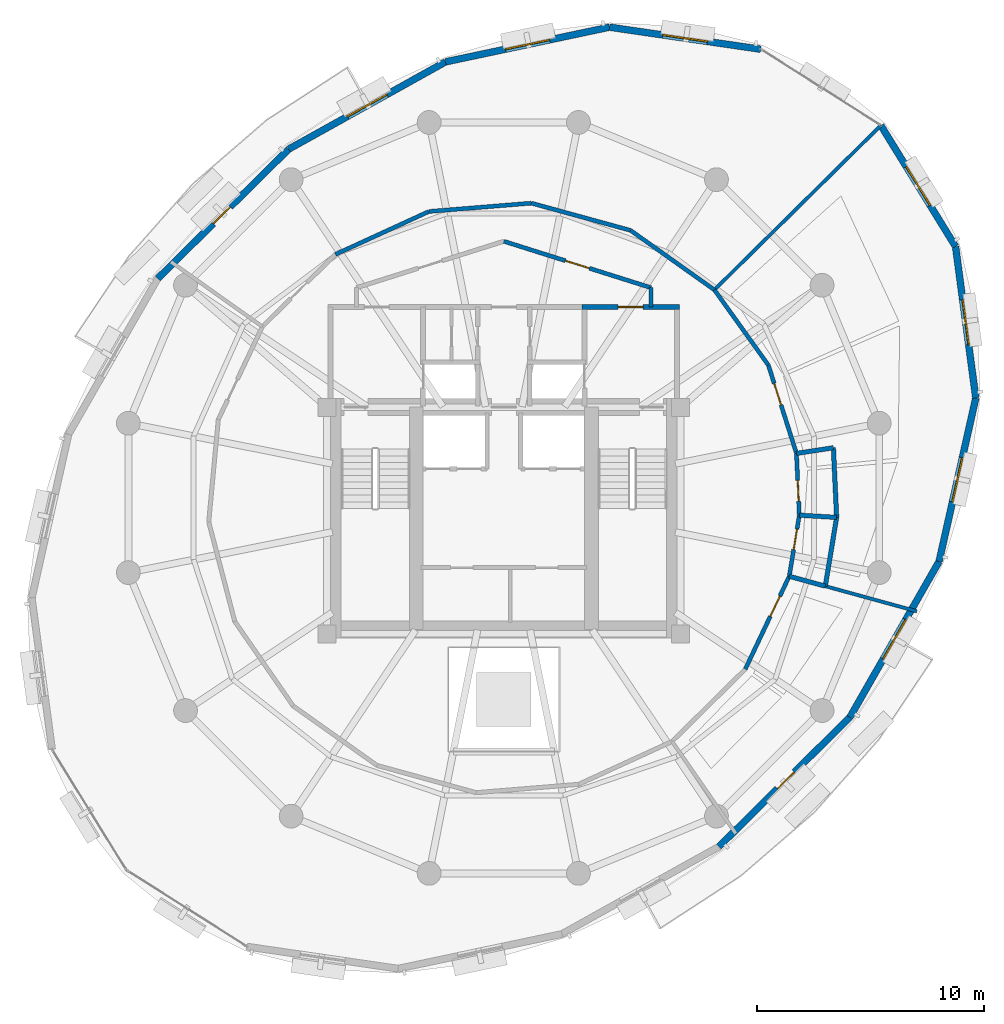
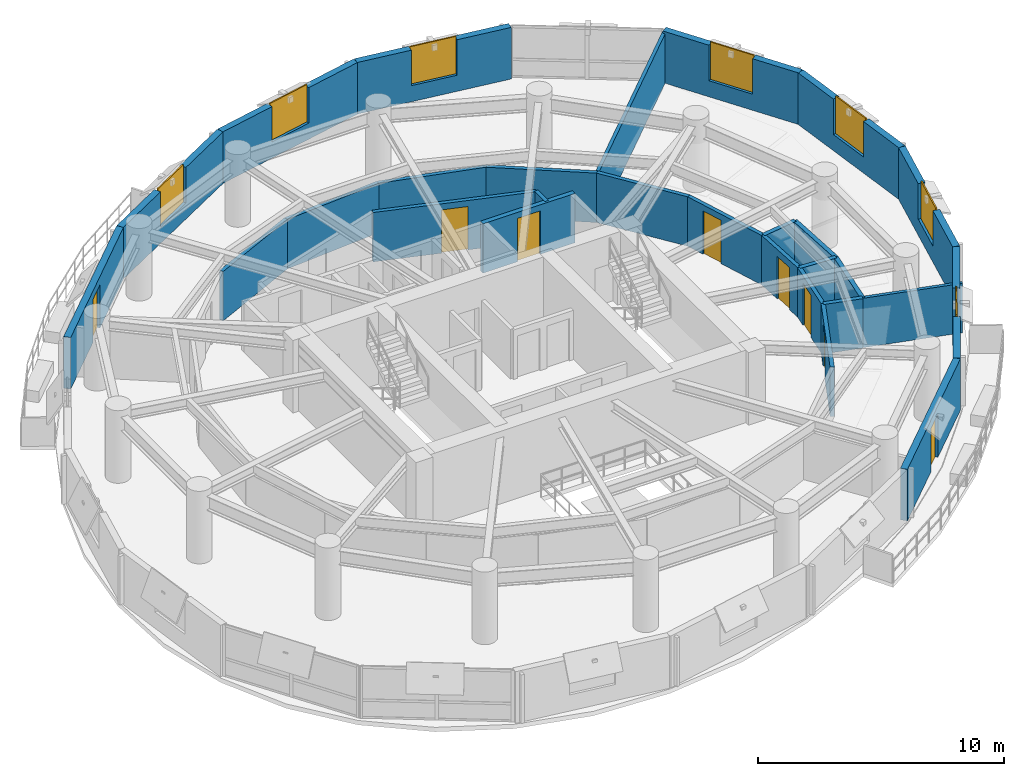
# One storey, part 9 of 12: 28 walls, 8 doors, 7 windows, 15 openings.
"""IFC4 building model written with IfcOpenShell, lengths in metres."""

from ifc_helpers import new_model, si_unit, direction, frame, frame_2d, origin, place, context, subcontext, project, spatial, rectangle, extrude, material, layer, layer_set, type_object, element, fill, save


model = new_model("IFC4")

# Units and contexts
model_context = context("Model", 3, precision=1e-05, world=origin(), true_north=direction((0.0, 1.0)))
body_context = subcontext(model_context, "Body", "Model", "MODEL_VIEW")
ifc_project = project(units=[si_unit("LENGTHUNIT", "METRE"), si_unit("AREAUNIT", "SQUARE_METRE"), si_unit("VOLUMEUNIT", "CUBIC_METRE"), si_unit("PLANEANGLEUNIT", "RADIAN"), si_unit("MASSUNIT", "GRAM", prefix="KILO"), si_unit("THERMODYNAMICTEMPERATUREUNIT", "KELVIN"), si_unit("POWERUNIT", "WATT")], contexts=[model_context])

# Site, building, storey
site_placement = place(None, origin())
site = spatial("IfcSite", under=ifc_project, at=site_placement, CompositionType="ELEMENT")
building_placement = place(site_placement, origin())
building = spatial("IfcBuilding", under=site, at=building_placement, Name="Ocrelia Relay Tower", CompositionType="ELEMENT")
storey_placement = place(building_placement, frame((0.0, 0.0, 216.800048828125)))
storey = spatial("IfcBuildingStorey", under=building, at=storey_placement, Name="L53", CompositionType="ELEMENT", Elevation=216.800048828125)

# Wall
ifc_material_1 = material(Name="Gypsum Fireboard Partition EI60", Category="gypsum")
ifc_layer_1 = layer(ifc_material_1, 0.179931640625, Name="Gypsum Fireboard Partition EI60")
ifc_layer_set_1 = layer_set([ifc_layer_1], Name="Gypsum Fireboard Partition EI60")
wall_type_1 = type_object("IfcWallType", Name="W-CORR-EI60-180", PredefinedType="PARTITIONING", material=ifc_layer_set_1)
wall_1_placement = place(storey_placement, frame((40.5, 35.280029296875, 0.0), z_axis=(0.0, 0.0, 1.0), x_axis=(0.0, -1.0, 0.0)))
element("IfcWall", 1, at=wall_1_placement, inside=storey, type_object=wall_type_1, Name="L53 Smoke Lobby East Return", PredefinedType="PARTITIONING", context=body_context, shape_type="SweptSolid", body=[
    extrude(rectangle(XDim=0.85009765625, YDim=0.179931640625, at=frame_2d((0.425048828125, 0.0))), origin(), (0.0, 0.0, 1.0), 2.449951171875),
])

# Wall, opening, door
wall_2_placement = place(storey_placement, frame((34.0, 37.330078125, 0.0), z_axis=(0.0, 0.0, 1.0), x_axis=(0.953691418528, -0.300786765376, 0.0)))
wall_2 = element("IfcWall", 2, at=wall_2_placement, inside=storey, type_object=wall_type_1, Name="L53 North Smoke Lobby E Screen Wall", PredefinedType="PARTITIONING", context=body_context, shape_type="SweptSolid", body=[
    extrude(rectangle(XDim=6.815673828125, YDim=0.179931640625, at=frame_2d((3.40771484375, 0.0))), origin(), (0.0, 0.0, 1.0), 2.449951171875),
])
opening_1_placement = place(wall_2_placement, frame((2.85791015625, 0.0, 0.0)))
opening_1 = element("IfcOpeningElement", 3, at=opening_1_placement, cuts=wall_2, Name="Opening D-FD60", PredefinedType="OPENING", context=body_context, shape_type="SweptSolid", body=[
    extrude(rectangle(XDim=1.10009765625, YDim=2.14990234375, at=frame_2d((0.550048828125, 1.074951171875))), frame((0.0, 0.10009765625, 0.0), z_axis=(0.0, -1.0, 0.0), x_axis=(1.0, 0.0, 0.0)), (0.0, 0.0, 1.0), 0.199951171875),
])
ifc_material_2 = material(Name="Timber-core 60-min acoustic fire door", Category="wood")
door_type_1 = type_object("IfcDoorType", Name="DR-LOBBY-FD60-1100", OperationType="NOTDEFINED", PredefinedType="DOOR", material=ifc_material_2)
door_1_placement = place(opening_1_placement, origin())
door_1 = element("IfcDoor", 4, at=door_1_placement, inside=storey, type_object=door_type_1, Name="L53 North Smoke Lobby E Fire Door", OperationType="SINGLE_SWING_LEFT", OverallHeight=2.14990234375, OverallWidth=1.10009765625, PredefinedType="DOOR", context=body_context, shape_type="SweptSolid", body=[
    extrude(rectangle(XDim=1.10009765625, YDim=2.14990234375, at=frame_2d((0.550048828125, 1.074951171875))), frame((0.0, 0.02490234375, 0.0), z_axis=(0.0, -1.0, 0.0), x_axis=(1.0, 0.0, 0.0)), (0.0, 0.0, 1.0), 0.050048828125),
])
fill(opening_1, door_1)

wall_3_placement = place(storey_placement, frame((46.603759765625, 22.540283203125, 0.0), z_axis=(0.0, 0.0, 1.0), x_axis=(0.162442572065, 0.986717999623, 0.0)))
wall_3 = element("IfcWall", 5, at=wall_3_placement, inside=storey, type_object=wall_type_1, Name="L53 Staff Toilet Corridor Wall", PredefinedType="PARTITIONING", context=body_context, shape_type="SweptSolid", body=[
    extrude(rectangle(XDim=2.732421875, YDim=0.179931640625, at=frame_2d((1.3662109375, 0.0))), origin(), (0.0, 0.0, 1.0), 2.449951171875),
])
opening_2_placement = place(wall_3_placement, frame((1.19677734375, 0.0, 0.0)))
opening_2 = element("IfcOpeningElement", 6, at=opening_2_placement, cuts=wall_3, Name="Opening D-WC92", PredefinedType="OPENING", context=body_context, shape_type="SweptSolid", body=[
    extrude(rectangle(XDim=0.919921875, YDim=2.10009765625, at=frame_2d((0.4599609375, 1.050048828125))), frame((0.0, 0.10009765625, 0.0), z_axis=(0.0, -1.0, 0.0), x_axis=(1.0, 0.0, 0.0)), (0.0, 0.0, 1.0), 0.199951171875),
])
ifc_material_3 = material(Name="Laminate washroom door", Category="wood")
door_type_2 = type_object("IfcDoorType", Name="DR-WC-920", OperationType="NOTDEFINED", PredefinedType="DOOR", material=ifc_material_3)
door_2_placement = place(opening_2_placement, origin())
door_2 = element("IfcDoor", 7, at=door_2_placement, inside=storey, type_object=door_type_2, Name="L53 Staff Toilet Door", OperationType="SINGLE_SWING_RIGHT", OverallHeight=2.10009765625, OverallWidth=0.919921875, PredefinedType="DOOR", context=body_context, shape_type="SweptSolid", body=[
    extrude(rectangle(XDim=0.919921875, YDim=2.10009765625, at=frame_2d((0.4599609375, 1.050048828125))), frame((0.0, 0.02490234375, 0.0), z_axis=(0.0, -1.0, 0.0), x_axis=(1.0, 0.0, 0.0)), (0.0, 0.0, 1.0), 0.050048828125),
])
fill(opening_2, door_2)

wall_4_placement = place(storey_placement, frame((47.047607421875, 25.236328125, 0.0), z_axis=(0.0, 0.0, 1.0), x_axis=(-0.046193926453, 0.998932490791, 0.0)))
wall_4 = element("IfcWall", 8, at=wall_4_placement, inside=storey, type_object=wall_type_1, Name="L53 Accessible Toilet Corridor Wall", PredefinedType="PARTITIONING", context=body_context, shape_type="SweptSolid", body=[
    extrude(rectangle(XDim=2.732421875, YDim=0.179931640625, at=frame_2d((1.3662109375, 0.0))), origin(), (0.0, 0.0, 1.0), 2.449951171875),
])
opening_3_placement = place(wall_4_placement, frame((0.61572265625, 0.0, 0.0)))
opening_3 = element("IfcOpeningElement", 9, at=opening_3_placement, cuts=wall_4, Name="Opening D-WC92", PredefinedType="OPENING", context=body_context, shape_type="SweptSolid", body=[
    extrude(rectangle(XDim=0.919921875, YDim=2.10009765625, at=frame_2d((0.4599609375, 1.050048828125))), frame((0.0, 0.10009765625, 0.0), z_axis=(0.0, -1.0, 0.0), x_axis=(1.0, 0.0, 0.0)), (0.0, 0.0, 1.0), 0.199951171875),
])
door_3_placement = place(opening_3_placement, origin())
door_3 = element("IfcDoor", 10, at=door_3_placement, inside=storey, type_object=door_type_2, Name="L53 Accessible Toilet Door", OperationType="SINGLE_SWING_LEFT", OverallHeight=2.10009765625, OverallWidth=0.919921875, PredefinedType="DOOR", context=body_context, shape_type="SweptSolid", body=[
    extrude(rectangle(XDim=0.919921875, YDim=2.10009765625, at=frame_2d((0.4599609375, 1.050048828125))), frame((0.0, 0.02490234375, 0.0), z_axis=(0.0, -1.0, 0.0), x_axis=(1.0, 0.0, 0.0)), (0.0, 0.0, 1.0), 0.050048828125),
])
fill(opening_3, door_3)

wall_5_placement = place(storey_placement, frame((46.92138671875, 27.9658203125, 0.0), z_axis=(0.0, 0.0, 1.0), x_axis=(-0.30324801656, 0.952911664559, 0.0)))
wall_5 = element("IfcWall", 11, at=wall_5_placement, inside=storey, type_object=wall_type_1, Name="L53 Staff Hospitality Study Corridor Partition 1", PredefinedType="PARTITIONING", context=body_context, shape_type="SweptSolid", body=[
    extrude(rectangle(XDim=4.089111328125, YDim=0.179931640625, at=frame_2d((2.04443359375, 0.0))), origin(), (0.0, 0.0, 1.0), 2.449951171875),
])
opening_4_placement = place(wall_5_placement, frame((2.241943359375, 0.0, 0.0)))
opening_4 = element("IfcOpeningElement", 12, at=opening_4_placement, cuts=wall_5, Name="Opening D-RM100", PredefinedType="OPENING", context=body_context, shape_type="SweptSolid", body=[
    extrude(rectangle(XDim=1.0, YDim=2.14990234375, at=frame_2d((0.5, 1.074951171875))), frame((0.0, 0.10009765625, 0.0), z_axis=(0.0, -1.0, 0.0), x_axis=(1.0, 0.0, 0.0)), (0.0, 0.0, 1.0), 0.199951171875),
])
ifc_material_4 = material(Name="Acoustic oak veneer fire door", Category="wood")
door_type_3 = type_object("IfcDoorType", Name="DR-ROOM-FD60-1000", OperationType="NOTDEFINED", PredefinedType="DOOR", material=ifc_material_4)
door_4_placement = place(opening_4_placement, origin())
door_4 = element("IfcDoor", 13, at=door_4_placement, inside=storey, type_object=door_type_3, Name="L53 Staff Hospitality Study Entrance Door", OperationType="SINGLE_SWING_RIGHT", OverallHeight=2.14990234375, OverallWidth=1.0, PredefinedType="DOOR", context=body_context, shape_type="SweptSolid", body=[
    extrude(rectangle(XDim=1.0, YDim=2.14990234375, at=frame_2d((0.5, 1.074951171875))), frame((0.0, 0.02490234375, 0.0), z_axis=(0.0, -1.0, 0.0), x_axis=(1.0, 0.0, 0.0)), (0.0, 0.0, 1.0), 0.050048828125),
])
fill(opening_4, door_4)

# Walls
wall_6_placement = place(storey_placement, frame((45.681396484375, 31.8623046875, 0.0), z_axis=(0.0, 0.0, 1.0), x_axis=(-0.58281275777, 0.812606478796, 0.0)))
element("IfcWall", 14, at=wall_6_placement, inside=storey, type_object=wall_type_1, Name="L53 Staff Hospitality Study Corridor Partition 2", PredefinedType="PARTITIONING", context=body_context, shape_type="SweptSolid", body=[
    extrude(rectangle(XDim=4.08935546875, YDim=0.179931640625, at=frame_2d((2.044677734375, 0.0))), origin(), (0.0, 0.0, 1.0), 2.449951171875),
])
wall_7_placement = place(storey_placement, frame((43.298095703125, 35.185302734375, 0.0), z_axis=(0.0, 0.0, 1.0), x_axis=(-0.815622593255, 0.578584294094, 0.0)))
element("IfcWall", 15, at=wall_7_placement, inside=storey, type_object=wall_type_1, Name="L53 Staff Dining Canteen Corridor Partition 1", PredefinedType="PARTITIONING", context=body_context, shape_type="SweptSolid", body=[
    extrude(rectangle(XDim=4.5390625, YDim=0.179931640625, at=frame_2d((2.26953125, 0.0))), origin(), (0.0, 0.0, 1.0), 2.449951171875),
])
wall_8_placement = place(storey_placement, frame((39.595947265625, 37.8115234375, 0.0), z_axis=(0.0, 0.0, 1.0), x_axis=(-0.96432560951, 0.264718943113, 0.0)))
element("IfcWall", 16, at=wall_8_placement, inside=storey, type_object=wall_type_1, Name="L53 Staff Dining Canteen Corridor Partition 2", PredefinedType="PARTITIONING", context=body_context, shape_type="SweptSolid", body=[
    extrude(rectangle(XDim=4.539306640625, YDim=0.179931640625, at=frame_2d((2.26953125, 0.0))), origin(), (0.0, 0.0, 1.0), 2.449951171875),
])
for number, where, z_axis, x_axis, name in (
    (17, (35.218505859375, 39.01318359375, 0.0), (0.0, 0.0, 1.0), (-0.996705234629, -0.081109033178, 0.0), "L53 Staff Dining Canteen Corridor Partition 3"),
    (18, (30.6943359375, 38.64501953125, 0.0), (0.0, 0.0, 1.0), (-0.908879683918, -0.417058413368, 0.0), "L53 Staff Dining Canteen Corridor Partition 4"),
):
    element("IfcWall", number, at=place(storey_placement, frame(where, z_axis=z_axis, x_axis=x_axis)), inside=storey, type_object=wall_type_1, Name=name, PredefinedType="PARTITIONING", context=body_context, shape_type="SweptSolid", body=[
        extrude(rectangle(XDim=4.5390625, YDim=0.179931640625, at=frame_2d((2.26953125, 0.0))), origin(), (0.0, 0.0, 1.0), 2.449951171875),
    ])

# Wall, opening, door
wall_9_placement = place(storey_placement, frame((44.660400390625, 18.43798828125, 0.0), z_axis=(0.0, 0.0, 1.0), x_axis=(0.428116399969, 0.903723601594, 0.0)))
wall_9 = element("IfcWall", 19, at=wall_9_placement, inside=storey, type_object=wall_type_1, Name="L53 Staff Wellness Room Corridor Partition 2", PredefinedType="PARTITIONING", context=body_context, shape_type="SweptSolid", body=[
    extrude(rectangle(XDim=4.539306640625, YDim=0.179931640625, at=frame_2d((2.26953125, 0.0))), origin(), (0.0, 0.0, 1.0), 2.449951171875),
])
opening_5_placement = place(wall_9_placement, frame((2.579345703125, 0.0, 0.0)))
opening_5 = element("IfcOpeningElement", 20, at=opening_5_placement, cuts=wall_9, Name="Opening D-RM100", PredefinedType="OPENING", context=body_context, shape_type="SweptSolid", body=[
    extrude(rectangle(XDim=1.0, YDim=2.14990234375, at=frame_2d((0.5, 1.074951171875))), frame((0.0, 0.10009765625, 0.0), z_axis=(0.0, -1.0, 0.0), x_axis=(1.0, 0.0, 0.0)), (0.0, 0.0, 1.0), 0.199951171875),
])
door_5_placement = place(opening_5_placement, origin())
door_5 = element("IfcDoor", 21, at=door_5_placement, inside=storey, type_object=door_type_3, Name="L53 Staff Wellness Room Entrance Door", OperationType="SINGLE_SWING_LEFT", OverallHeight=2.14990234375, OverallWidth=1.0, PredefinedType="DOOR", context=body_context, shape_type="SweptSolid", body=[
    extrude(rectangle(XDim=1.0, YDim=2.14990234375, at=frame_2d((0.5, 1.074951171875))), frame((0.0, 0.02490234375, 0.0), z_axis=(0.0, -1.0, 0.0), x_axis=(1.0, 0.0, 0.0)), (0.0, 0.0, 1.0), 0.050048828125),
])
fill(opening_5, door_5)

# Wall, opening, window
ifc_material_5 = material(Name="Precast concrete C40/50 with oxide terracotta", Category="masonry")
ifc_layer_2 = layer(ifc_material_5, 0.300048828125, Name="Precast concrete C40/50 with oxide terracotta")
ifc_layer_set_2 = layer_set([ifc_layer_2], Name="Precast concrete C40/50 with oxide terracotta")
wall_type_2 = type_object("IfcWallType", Name="W-EXT-TERR-300", PredefinedType="SOLIDWALL", material=ifc_layer_set_2)
wall_10_placement = place(storey_placement, frame((45.340576171875, 45.80859375, 0.0), z_axis=(0.0, 0.0, 1.0), x_axis=(-0.989511218711, 0.144456041915, 0.0)))
wall_10 = element("IfcWall", 22, at=wall_10_placement, inside=storey, type_object=wall_type_2, Name="L53 Oxide Terracotta Facade Wall 02", PredefinedType="SOLIDWALL", context=body_context, shape_type="SweptSolid", body=[
    extrude(rectangle(XDim=6.7451171875, YDim=0.300048828125, at=frame_2d((3.37255859375, 0.0))), origin(), (0.0, 0.0, 1.0), 2.56005859375),
])
opening_6_placement = place(wall_10_placement, frame((2.373046875, 0.0, 0.800048828125)))
opening_6 = element("IfcOpeningElement", 23, at=opening_6_placement, cuts=wall_10, Name="Opening W-03", PredefinedType="OPENING", context=body_context, shape_type="SweptSolid", body=[
    extrude(rectangle(XDim=2.0, YDim=1.85009765625, at=frame_2d((1.0, 0.925048828125))), frame((0.0, 0.16015625, 0.0), z_axis=(0.0, -1.0, 0.0), x_axis=(1.0, 0.0, 0.0)), (0.0, 0.0, 1.0), 0.320068359375),
])
ifc_material_6 = material(Name="Clear double-glazed low-E glass", Category="glass")
window_type = type_object("IfcWindowType", Name="WIN-Z3-2000x2200", PartitioningType="DOUBLE_PANEL_VERTICAL", PredefinedType="WINDOW", material=ifc_material_6)
window_1_placement = place(opening_6_placement, origin())
window_1 = element("IfcWindow", 24, at=window_1_placement, inside=storey, type_object=window_type, Name="L53 Facade Module Window 02", OverallHeight=1.85009765625, OverallWidth=2.0, PartitioningType="SINGLE_PANEL", PredefinedType="WINDOW", context=body_context, shape_type="SweptSolid", body=[
    extrude(rectangle(XDim=2.0, YDim=1.85009765625, at=frame_2d((1.0, 0.925048828125))), frame((0.0, 0.030029296875, 0.0), z_axis=(0.0, -1.0, 0.0), x_axis=(1.0, 0.0, 0.0)), (0.0, 0.0, 1.0), 0.06005859375),
])
fill(opening_6, window_1)

wall_11_placement = place(storey_placement, frame((38.666259765625, 46.782958984375, 0.0), z_axis=(0.0, 0.0, 1.0), x_axis=(-0.978313834697, -0.207128078351, 0.0)))
wall_11 = element("IfcWall", 25, at=wall_11_placement, inside=storey, type_object=wall_type_2, Name="L53 Oxide Terracotta Facade Wall 03", PredefinedType="SOLIDWALL", context=body_context, shape_type="SweptSolid", body=[
    extrude(rectangle(XDim=7.3974609375, YDim=0.300048828125, at=frame_2d((3.69873046875, 0.0))), origin(), (0.0, 0.0, 1.0), 2.56005859375),
])
opening_7_placement = place(wall_11_placement, frame((2.698974609375, 0.0, 0.800048828125)))
opening_7 = element("IfcOpeningElement", 26, at=opening_7_placement, cuts=wall_11, Name="Opening W-03", PredefinedType="OPENING", context=body_context, shape_type="SweptSolid", body=[
    extrude(rectangle(XDim=2.0, YDim=1.85009765625, at=frame_2d((1.0, 0.925048828125))), frame((0.0, 0.16015625, 0.0), z_axis=(0.0, -1.0, 0.0), x_axis=(1.0, 0.0, 0.0)), (0.0, 0.0, 1.0), 0.320068359375),
])
window_2_placement = place(opening_7_placement, origin())
window_2 = element("IfcWindow", 27, at=window_2_placement, inside=storey, type_object=window_type, Name="L53 Facade Module Window 03", OverallHeight=1.85009765625, OverallWidth=2.0, PartitioningType="SINGLE_PANEL", PredefinedType="WINDOW", context=body_context, shape_type="SweptSolid", body=[
    extrude(rectangle(XDim=2.0, YDim=1.85009765625, at=frame_2d((1.0, 0.925048828125))), frame((0.0, 0.030029296875, 0.0), z_axis=(0.0, -1.0, 0.0), x_axis=(1.0, 0.0, 0.0)), (0.0, 0.0, 1.0), 0.06005859375),
])
fill(opening_7, window_2)

wall_12_placement = place(storey_placement, frame((31.42919921875, 45.250732421875, 0.0), z_axis=(0.0, 0.0, 1.0), x_axis=(-0.873840390665, -0.486212887161, 0.0)))
wall_12 = element("IfcWall", 28, at=wall_12_placement, inside=storey, type_object=wall_type_2, Name="L53 Oxide Terracotta Facade Wall 04", PredefinedType="SOLIDWALL", context=body_context, shape_type="SweptSolid", body=[
    extrude(rectangle(XDim=7.927001953125, YDim=0.300048828125, at=frame_2d((3.96337890625, 0.0))), origin(), (0.0, 0.0, 1.0), 2.56005859375),
])
opening_8_placement = place(wall_12_placement, frame((2.964111328125, 0.0, 0.800048828125)))
opening_8 = element("IfcOpeningElement", 29, at=opening_8_placement, cuts=wall_12, Name="Opening W-03", PredefinedType="OPENING", context=body_context, shape_type="SweptSolid", body=[
    extrude(rectangle(XDim=2.0, YDim=1.85009765625, at=frame_2d((1.0, 0.925048828125))), frame((0.0, 0.16015625, 0.0), z_axis=(0.0, -1.0, 0.0), x_axis=(1.0, 0.0, 0.0)), (0.0, 0.0, 1.0), 0.320068359375),
])
window_3_placement = place(opening_8_placement, origin())
window_3 = element("IfcWindow", 30, at=window_3_placement, inside=storey, type_object=window_type, Name="L53 Facade Module Window 04", OverallHeight=1.85009765625, OverallWidth=2.0, PartitioningType="SINGLE_PANEL", PredefinedType="WINDOW", context=body_context, shape_type="SweptSolid", body=[
    extrude(rectangle(XDim=2.0, YDim=1.85009765625, at=frame_2d((1.0, 0.925048828125))), frame((0.0, 0.030029296875, 0.0), z_axis=(0.0, -1.0, 0.0), x_axis=(1.0, 0.0, 0.0)), (0.0, 0.0, 1.0), 0.06005859375),
])
fill(opening_8, window_3)

# Wall, opening, door
wall_13_placement = place(storey_placement, frame((24.502197265625, 41.396484375, 0.0), z_axis=(0.0, 0.0, 1.0), x_axis=(-0.711419565338, -0.702767530592, 0.0)))
wall_13 = element("IfcWall", 31, at=wall_13_placement, inside=storey, type_object=wall_type_2, Name="L53 Oxide Terracotta Facade Wall 05", PredefinedType="SOLIDWALL", context=body_context, shape_type="SweptSolid", body=[
    extrude(rectangle(XDim=8.126708984375, YDim=0.300048828125, at=frame_2d((4.0634765625, 0.0))), origin(), (0.0, 0.0, 1.0), 2.56005859375),
])
opening_9_placement = place(wall_13_placement, frame((3.6298828125, 0.0, 0.0)))
opening_9 = element("IfcOpeningElement", 32, at=opening_9_placement, cuts=wall_13, Name="Opening DB-105", PredefinedType="OPENING", context=body_context, shape_type="SweptSolid", body=[
    extrude(rectangle(XDim=1.050048828125, YDim=2.14990234375, at=frame_2d((0.52490234375, 1.074951171875))), frame((0.0, 0.16015625, 0.0), z_axis=(0.0, -1.0, 0.0), x_axis=(1.0, 0.0, 0.0)), (0.0, 0.0, 1.0), 0.320068359375),
])
ifc_material_7 = material(Name="Thermally broken aluminium and clear glass", Category="aluminium")
door_type_4 = type_object("IfcDoorType", Name="DR-BALC-1050", OperationType="NOTDEFINED", PredefinedType="DOOR", material=ifc_material_7)
door_6_placement = place(opening_9_placement, origin())
door_6 = element("IfcDoor", 33, at=door_6_placement, inside=storey, type_object=door_type_4, Name="L53 Planted Loggia Balcony Door B1", OperationType="SINGLE_SWING_LEFT", OverallHeight=2.14990234375, OverallWidth=1.050048828125, PredefinedType="DOOR", context=body_context, shape_type="SweptSolid", body=[
    extrude(rectangle(XDim=1.050048828125, YDim=2.14990234375, at=frame_2d((0.52490234375, 1.074951171875))), frame((0.0, 0.02490234375, 0.0), z_axis=(0.0, -1.0, 0.0), x_axis=(1.0, 0.0, 0.0)), (0.0, 0.0, 1.0), 0.050048828125),
])
fill(opening_9, door_6)

wall_14_placement = place(storey_placement, frame((43.497802734375, 10.603515625, 0.0), z_axis=(0.0, 0.0, 1.0), x_axis=(0.711419565338, 0.702767530592, 0.0)))
wall_14 = element("IfcWall", 34, at=wall_14_placement, inside=storey, type_object=wall_type_2, Name="L53 Oxide Terracotta Facade Wall 14", PredefinedType="SOLIDWALL", context=body_context, shape_type="SweptSolid", body=[
    extrude(rectangle(XDim=8.126708984375, YDim=0.300048828125, at=frame_2d((4.0634765625, 0.0))), origin(), (0.0, 0.0, 1.0), 2.56005859375),
])
opening_10_placement = place(wall_14_placement, frame((3.6298828125, 0.0, 0.0)))
opening_10 = element("IfcOpeningElement", 35, at=opening_10_placement, cuts=wall_14, Name="Opening DB-105", PredefinedType="OPENING", context=body_context, shape_type="SweptSolid", body=[
    extrude(rectangle(XDim=1.050048828125, YDim=2.14990234375, at=frame_2d((0.52490234375, 1.074951171875))), frame((0.0, 0.16015625, 0.0), z_axis=(0.0, -1.0, 0.0), x_axis=(1.0, 0.0, 0.0)), (0.0, 0.0, 1.0), 0.320068359375),
])
door_7_placement = place(opening_10_placement, origin())
door_7 = element("IfcDoor", 36, at=door_7_placement, inside=storey, type_object=door_type_4, Name="L53 Planted Loggia Balcony Door B2", OperationType="SINGLE_SWING_LEFT", OverallHeight=2.14990234375, OverallWidth=1.050048828125, PredefinedType="DOOR", context=body_context, shape_type="SweptSolid", body=[
    extrude(rectangle(XDim=1.050048828125, YDim=2.14990234375, at=frame_2d((0.52490234375, 1.074951171875))), frame((0.0, 0.02490234375, 0.0), z_axis=(0.0, -1.0, 0.0), x_axis=(1.0, 0.0, 0.0)), (0.0, 0.0, 1.0), 0.050048828125),
])
fill(opening_10, door_7)

# Wall, opening, window
wall_15_placement = place(storey_placement, frame((49.279296875, 16.314697265625, 0.0), z_axis=(0.0, 0.0, 1.0), x_axis=(0.496841929848, 0.867841055001, 0.0)))
wall_15 = element("IfcWall", 37, at=wall_15_placement, inside=storey, type_object=wall_type_2, Name="L53 Oxide Terracotta Facade Wall 15", PredefinedType="SOLIDWALL", context=body_context, shape_type="SweptSolid", body=[
    extrude(rectangle(XDim=7.927001953125, YDim=0.300048828125, at=frame_2d((3.96337890625, 0.0))), origin(), (0.0, 0.0, 1.0), 2.56005859375),
])
opening_11_placement = place(wall_15_placement, frame((2.964111328125, 0.0, 0.800048828125)))
opening_11 = element("IfcOpeningElement", 38, at=opening_11_placement, cuts=wall_15, Name="Opening W-03", PredefinedType="OPENING", context=body_context, shape_type="SweptSolid", body=[
    extrude(rectangle(XDim=2.0, YDim=1.85009765625, at=frame_2d((1.0, 0.925048828125))), frame((0.0, 0.16015625, 0.0), z_axis=(0.0, -1.0, 0.0), x_axis=(1.0, 0.0, 0.0)), (0.0, 0.0, 1.0), 0.320068359375),
])
window_4_placement = place(opening_11_placement, origin())
window_4 = element("IfcWindow", 39, at=window_4_placement, inside=storey, type_object=window_type, Name="L53 Facade Module Window 15", OverallHeight=1.85009765625, OverallWidth=2.0, PartitioningType="SINGLE_PANEL", PredefinedType="WINDOW", context=body_context, shape_type="SweptSolid", body=[
    extrude(rectangle(XDim=2.0, YDim=1.85009765625, at=frame_2d((1.0, 0.925048828125))), frame((0.0, 0.030029296875, 0.0), z_axis=(0.0, -1.0, 0.0), x_axis=(1.0, 0.0, 0.0)), (0.0, 0.0, 1.0), 0.06005859375),
])
fill(opening_11, window_4)

wall_16_placement = place(storey_placement, frame((53.2177734375, 23.194091796875, 0.0), z_axis=(0.0, 0.0, 1.0), x_axis=(0.219068478611, 0.975709486312, 0.0)))
wall_16 = element("IfcWall", 40, at=wall_16_placement, inside=storey, type_object=wall_type_2, Name="L53 Oxide Terracotta Facade Wall 16", PredefinedType="SOLIDWALL", context=body_context, shape_type="SweptSolid", body=[
    extrude(rectangle(XDim=7.397705078125, YDim=0.300048828125, at=frame_2d((3.69873046875, 0.0))), origin(), (0.0, 0.0, 1.0), 2.56005859375),
])
opening_12_placement = place(wall_16_placement, frame((2.698974609375, 0.0, 0.800048828125)))
opening_12 = element("IfcOpeningElement", 41, at=opening_12_placement, cuts=wall_16, Name="Opening W-03", PredefinedType="OPENING", context=body_context, shape_type="SweptSolid", body=[
    extrude(rectangle(XDim=2.0, YDim=1.85009765625, at=frame_2d((1.0, 0.925048828125))), frame((0.0, 0.16015625, 0.0), z_axis=(0.0, -1.0, 0.0), x_axis=(1.0, 0.0, 0.0)), (0.0, 0.0, 1.0), 0.320068359375),
])
window_5_placement = place(opening_12_placement, origin())
window_5 = element("IfcWindow", 42, at=window_5_placement, inside=storey, type_object=window_type, Name="L53 Facade Module Window 16", OverallHeight=1.85009765625, OverallWidth=2.0, PartitioningType="SINGLE_PANEL", PredefinedType="WINDOW", context=body_context, shape_type="SweptSolid", body=[
    extrude(rectangle(XDim=2.0, YDim=1.85009765625, at=frame_2d((1.0, 0.925048828125))), frame((0.0, 0.030029296875, 0.0), z_axis=(0.0, -1.0, 0.0), x_axis=(1.0, 0.0, 0.0)), (0.0, 0.0, 1.0), 0.06005859375),
])
fill(opening_12, window_5)

wall_17_placement = place(storey_placement, frame((54.83837890625, 30.412109375, 0.0), z_axis=(0.0, 0.0, 1.0), x_axis=(-0.13236523993, 0.991201010521, 0.0)))
wall_17 = element("IfcWall", 43, at=wall_17_placement, inside=storey, type_object=wall_type_2, Name="L53 Oxide Terracotta Facade Wall 17", PredefinedType="SOLIDWALL", context=body_context, shape_type="SweptSolid", body=[
    extrude(rectangle(XDim=6.7451171875, YDim=0.300048828125, at=frame_2d((3.37255859375, 0.0))), origin(), (0.0, 0.0, 1.0), 2.56005859375),
])
opening_13_placement = place(wall_17_placement, frame((2.373046875, 0.0, 0.800048828125)))
opening_13 = element("IfcOpeningElement", 44, at=opening_13_placement, cuts=wall_17, Name="Opening W-03", PredefinedType="OPENING", context=body_context, shape_type="SweptSolid", body=[
    extrude(rectangle(XDim=2.0, YDim=1.85009765625, at=frame_2d((1.0, 0.925048828125))), frame((0.0, 0.16015625, 0.0), z_axis=(0.0, -1.0, 0.0), x_axis=(1.0, 0.0, 0.0)), (0.0, 0.0, 1.0), 0.320068359375),
])
window_6_placement = place(opening_13_placement, origin())
window_6 = element("IfcWindow", 45, at=window_6_placement, inside=storey, type_object=window_type, Name="L53 Facade Module Window 17", OverallHeight=1.85009765625, OverallWidth=2.0, PartitioningType="SINGLE_PANEL", PredefinedType="WINDOW", context=body_context, shape_type="SweptSolid", body=[
    extrude(rectangle(XDim=2.0, YDim=1.85009765625, at=frame_2d((1.0, 0.925048828125))), frame((0.0, 0.030029296875, 0.0), z_axis=(0.0, -1.0, 0.0), x_axis=(1.0, 0.0, 0.0)), (0.0, 0.0, 1.0), 0.06005859375),
])
fill(opening_13, window_6)

wall_18_placement = place(storey_placement, frame((53.945556640625, 37.097900390625, 0.0), z_axis=(0.0, 0.0, 1.0), x_axis=(-0.52501210794, 0.85109475766, 0.0)))
wall_18 = element("IfcWall", 46, at=wall_18_placement, inside=storey, type_object=wall_type_2, Name="L53 Oxide Terracotta Facade Wall 18", PredefinedType="SOLIDWALL", context=body_context, shape_type="SweptSolid", body=[
    extrude(rectangle(XDim=6.282470703125, YDim=0.300048828125, at=frame_2d((3.14111328125, 0.0))), origin(), (0.0, 0.0, 1.0), 2.56005859375),
])
opening_14_placement = place(wall_18_placement, frame((2.14111328125, 0.0, 0.800048828125)))
opening_14 = element("IfcOpeningElement", 47, at=opening_14_placement, cuts=wall_18, Name="Opening W-03", PredefinedType="OPENING", context=body_context, shape_type="SweptSolid", body=[
    extrude(rectangle(XDim=2.0, YDim=1.85009765625, at=frame_2d((1.0, 0.925048828125))), frame((0.0, 0.16015625, 0.0), z_axis=(0.0, -1.0, 0.0), x_axis=(1.0, 0.0, 0.0)), (0.0, 0.0, 1.0), 0.320068359375),
])
window_7_placement = place(opening_14_placement, origin())
window_7 = element("IfcWindow", 48, at=window_7_placement, inside=storey, type_object=window_type, Name="L53 Facade Module Window 18", OverallHeight=1.85009765625, OverallWidth=2.0, PartitioningType="SINGLE_PANEL", PredefinedType="WINDOW", context=body_context, shape_type="SweptSolid", body=[
    extrude(rectangle(XDim=2.0, YDim=1.85009765625, at=frame_2d((1.0, 0.925048828125))), frame((0.0, 0.030029296875, 0.0), z_axis=(0.0, -1.0, 0.0), x_axis=(1.0, 0.0, 0.0)), (0.0, 0.0, 1.0), 0.06005859375),
])
fill(opening_14, window_7)

# Wall, opening, door
ifc_material_8 = material(Name="Concrete C50/60", Category="concrete")
ifc_layer_3 = layer(ifc_material_8, 0.219970703125, Name="Concrete C50/60")
ifc_layer_set_3 = layer_set([ifc_layer_3], Name="Concrete C50/60")
wall_type_3 = type_object("IfcWallType", Name="W-FFL-EI120-220", PredefinedType="SOLIDWALL", material=ifc_layer_set_3)
wall_19_placement = place(storey_placement, frame((37.449951171875, 34.429931640625, 0.0), z_axis=(0.0, 0.0, 1.0), x_axis=(1.0, 0.0, 0.0)))
wall_19 = element("IfcWall", 49, at=wall_19_placement, inside=storey, type_object=wall_type_3, Name="L53 E Fire Service Lift Lobby North Wall", PredefinedType="SOLIDWALL", context=body_context, shape_type="SweptSolid", body=[
    extrude(rectangle(XDim=4.31005859375, YDim=0.219970703125, at=frame_2d((2.155029296875, 0.0))), origin(), (0.0, 0.0, 1.0), 2.449951171875),
])
opening_15_placement = place(wall_19_placement, frame((1.60009765625, 0.0, 0.0)))
opening_15 = element("IfcOpeningElement", 50, at=opening_15_placement, cuts=wall_19, Name="Opening D-FD60", PredefinedType="OPENING", context=body_context, shape_type="SweptSolid", body=[
    extrude(rectangle(XDim=1.10009765625, YDim=2.14990234375, at=frame_2d((0.550048828125, 1.074951171875))), frame((0.0, 0.1201171875, 0.0), z_axis=(0.0, -1.0, 0.0), x_axis=(1.0, 0.0, 0.0)), (0.0, 0.0, 1.0), 0.239990234375),
])
door_8_placement = place(opening_15_placement, origin())
door_8 = element("IfcDoor", 51, at=door_8_placement, inside=storey, type_object=door_type_1, Name="L53 E Fire Service Lift Lobby Exit Door", OperationType="SINGLE_SWING_RIGHT", OverallHeight=2.14990234375, OverallWidth=1.10009765625, PredefinedType="DOOR", context=body_context, shape_type="SweptSolid", body=[
    extrude(rectangle(XDim=1.10009765625, YDim=2.14990234375, at=frame_2d((0.550048828125, 1.074951171875))), frame((0.0, 0.02490234375, 0.0), z_axis=(0.0, -1.0, 0.0), x_axis=(1.0, 0.0, 0.0)), (0.0, 0.0, 1.0), 0.050048828125),
])
fill(opening_15, door_8)

# Walls
ifc_material_9 = material(Name="Acoustic Fireboard Partition EI60", Category="gypsum")
ifc_layer_4 = layer(ifc_material_9, 0.14990234375, Name="Acoustic Fireboard Partition EI60")
ifc_layer_set_4 = layer_set([ifc_layer_4], Name="Acoustic Fireboard Partition EI60")
wall_type_4 = type_object("IfcWallType", Name="W-PART-150", PredefinedType="PARTITIONING", material=ifc_layer_set_4)
wall_20_placement = place(storey_placement, frame((48.19482421875, 22.103515625, 0.0), z_axis=(0.0, 0.0, 1.0), x_axis=(0.964331984238, -0.264695719978, 0.0)))
element("IfcWall", 52, at=wall_20_placement, inside=storey, type_object=wall_type_4, Name="L53 Staff Hospitality Study Radial Partition", PredefinedType="PARTITIONING", context=body_context, shape_type="SweptSolid", body=[
    extrude(rectangle(XDim=4.1875, YDim=0.14990234375, at=frame_2d((2.09375, 0.0))), origin(), (0.0, 0.0, 1.0), 2.449951171875),
])
wall_21_placement = place(storey_placement, frame((43.298095703125, 35.185302734375, 0.0), z_axis=(0.0, 0.0, 1.0), x_axis=(0.711430318558, 0.702756644818, 0.0)))
element("IfcWall", 53, at=wall_21_placement, inside=storey, type_object=wall_type_4, Name="L53 Staff Hospitality Study Radial Partition", PredefinedType="PARTITIONING", context=body_context, shape_type="SweptSolid", body=[
    extrude(rectangle(XDim=10.330078125, YDim=0.14990234375, at=frame_2d((5.1650390625, 0.0))), origin(), (0.0, 0.0, 1.0), 2.449951171875),
])
ifc_material_10 = material(Name="Moisture-Resistant Fireboard Chase Wall EI60", Category="gypsum")
ifc_layer_5 = layer(ifc_material_10, 0.199951171875, Name="Moisture-Resistant Fireboard Chase Wall EI60")
ifc_layer_set_5 = layer_set([ifc_layer_5], Name="Moisture-Resistant Fireboard Chase Wall EI60")
wall_type_5 = type_object("IfcWallType", Name="W-PLUMB-200", PredefinedType="PLUMBINGWALL", material=ifc_layer_set_5)
wall_22_placement = place(storey_placement, frame((46.603759765625, 22.540283203125, 0.0), z_axis=(0.0, 0.0, 1.0), x_axis=(0.964325407266, -0.264719679853, 0.0)))
element("IfcWall", 54, at=wall_22_placement, inside=storey, type_object=wall_type_5, Name="L53 Staff Toilet Plumbing Radial Wall", PredefinedType="PLUMBINGWALL", context=body_context, shape_type="SweptSolid", body=[
    extrude(rectangle(XDim=1.64990234375, YDim=0.199951171875, at=frame_2d((0.824951171875, 0.0))), origin(), (0.0, 0.0, 1.0), 2.449951171875),
])
wall_23_placement = place(storey_placement, frame((47.047607421875, 25.236328125, 0.0), z_axis=(0.0, 0.0, 1.0), x_axis=(0.998290661285, -0.058444465867, 0.0)))
element("IfcWall", 55, at=wall_23_placement, inside=storey, type_object=wall_type_5, Name="L53 Staff Toilet Plumbing Radial Wall", PredefinedType="PLUMBINGWALL", context=body_context, shape_type="SweptSolid", body=[
    extrude(rectangle(XDim=1.650146484375, YDim=0.199951171875, at=frame_2d((0.8251953125, 0.0))), origin(), (0.0, 0.0, 1.0), 2.449951171875),
])
wall_24_placement = place(storey_placement, frame((48.19482421875, 22.103515625, 0.0), z_axis=(0.0, 0.0, 1.0), x_axis=(0.162481728675, 0.986711552505, 0.0)))
element("IfcWall", 56, at=wall_24_placement, inside=storey, type_object=wall_type_5, Name="L53 Staff Toilet Back Plumbing Wall", PredefinedType="PLUMBINGWALL", context=body_context, shape_type="SweptSolid", body=[
    extrude(rectangle(XDim=3.0771484375, YDim=0.199951171875, at=frame_2d((1.53857421875, 0.0))), origin(), (0.0, 0.0, 1.0), 2.449951171875),
])
wall_25_placement = place(storey_placement, frame((46.92138671875, 27.9658203125, 0.0), z_axis=(0.0, 0.0, 1.0), x_axis=(0.9886336644, 0.150344529716, 0.0)))
element("IfcWall", 57, at=wall_25_placement, inside=storey, type_object=wall_type_5, Name="L53 Accessible Toilet Plumbing Radial Wall", PredefinedType="PLUMBINGWALL", context=body_context, shape_type="SweptSolid", body=[
    extrude(rectangle(XDim=1.64990234375, YDim=0.199951171875, at=frame_2d((0.824951171875, 0.0))), origin(), (0.0, 0.0, 1.0), 2.449951171875),
])
wall_26_placement = place(storey_placement, frame((48.69482421875, 25.139892578125, 0.0), z_axis=(0.0, 0.0, 1.0), x_axis=(-0.046253358654, 0.998929740679, 0.0)))
element("IfcWall", 58, at=wall_26_placement, inside=storey, type_object=wall_type_5, Name="L53 Accessible Toilet Back Plumbing Wall", PredefinedType="PLUMBINGWALL", context=body_context, shape_type="SweptSolid", body=[
    extrude(rectangle(XDim=3.0771484375, YDim=0.199951171875, at=frame_2d((1.53857421875, 0.0))), origin(), (0.0, 0.0, 1.0), 2.449951171875),
])

save(model, "model.ifc")
